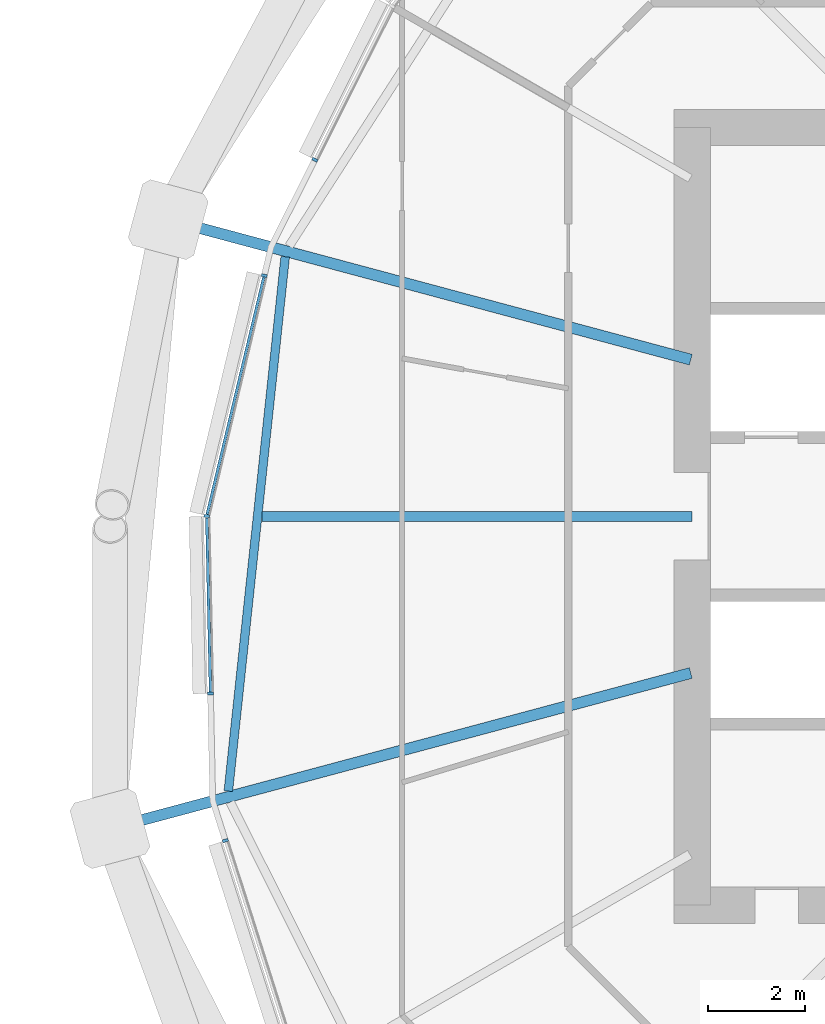
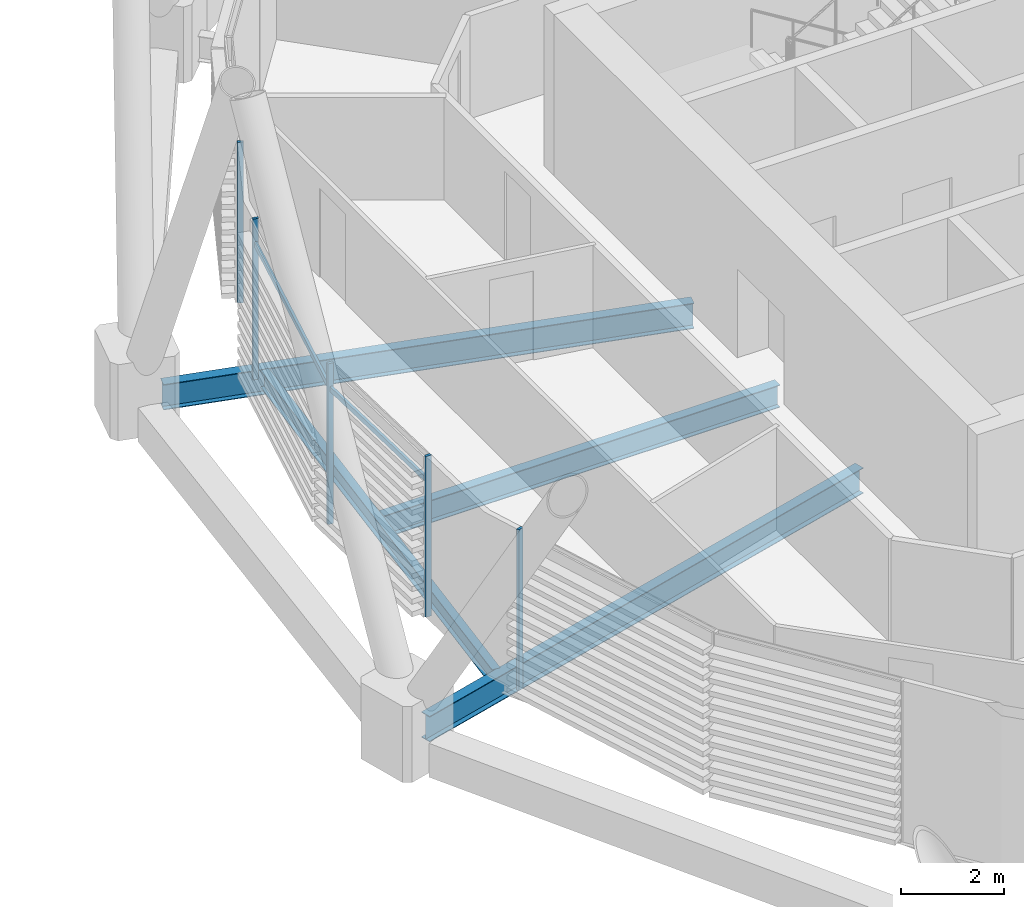
# One storey, part 16 of 38: 7 members, 4 beams, 1 element without a shape of its own.
"""IFC4 building model written with IfcOpenShell, lengths in metres."""

from ifc_helpers import new_model, si_unit, direction, frame, origin, origin_2d, place, context, subcontext, project, spatial, rectangle, i_section, extrude, material, material_profile, profile_set, type_object, element, aggregate, save


model = new_model("IFC4")

# Units and contexts
model_context = context("Model", 3, precision=1e-05, world=origin(), true_north=direction((0.0, 1.0)))
body_context = subcontext(model_context, "Body", "Model", "MODEL_VIEW")
ifc_project = project(units=[si_unit("LENGTHUNIT", "METRE"), si_unit("AREAUNIT", "SQUARE_METRE"), si_unit("VOLUMEUNIT", "CUBIC_METRE"), si_unit("PLANEANGLEUNIT", "RADIAN"), si_unit("MASSUNIT", "GRAM", prefix="KILO")], contexts=[model_context])

# Site, building, storey
site_placement = place(None, origin())
site = spatial("IfcSite", under=ifc_project, at=site_placement, CompositionType="ELEMENT")
building_placement = place(site_placement, origin())
building = spatial("IfcBuilding", under=site, at=building_placement, Name="Rimbun Link Towers", CompositionType="ELEMENT")
storey_placement = place(building_placement, frame((0.0, 0.0, 104.39990234375)))
storey = spatial("IfcBuildingStorey", under=building, at=storey_placement, Name="L25", CompositionType="ELEMENT", Elevation=104.39990234375)

# Curtain wall, members
ifc_material_1 = material(Name="Aluminium 6063-T6 and low-iron glass", Category="aluminium")
curtain_wall_type = type_object("IfcCurtainWallType", Name="CW1-Z2 unitised vision wall (zone 2)", PredefinedType="NOTDEFINED", material=ifc_material_1)
curtain_wall_placement = place(storey_placement, origin())
curtain_wall = element("IfcCurtainWall", 1, at=curtain_wall_placement, inside=storey, type_object=curtain_wall_type, Name="CW1 L25 T2", PredefinedType="NOTDEFINED")
ifc_material_2 = material(Name="Aluminium 6063-T6", Category="aluminium")
ifc_material_profile_1 = material_profile(ifc_material_2, rectangle(XDim=0.1201171875, YDim=0.06005859375, at=origin_2d()), Name="MULLION 60X120")
ifc_profile_set_1 = profile_set([ifc_material_profile_1], Name="Aluminium 6063-T6")
member_type_1 = type_object("IfcMemberType", Name="CW1 mullion 60X120", PredefinedType="MULLION", material=ifc_profile_set_1)
member_1_placement = place(storey_placement, frame((11.98486328125, 7.33642578125, 0.0), z_axis=(0.0, 0.0, 1.0), x_axis=(-0.893637595797, 0.448789312905, 0.0)))
member_1 = element("IfcMember", 2, at=member_1_placement, type_object=member_type_1, Name="CW1 mullion", PredefinedType="MULLION", context=body_context, shape_type="SweptSolid", body=[
    extrude(rectangle(XDim=0.1201171875, YDim=0.06005859375, at=origin_2d()), origin(), (0.0, 0.0, 1.0), 3.800048828125),
])
member_2_placement = place(storey_placement, frame((9.7607421875, 0.00634765625, 0.0), z_axis=(0.0, 0.0, 1.0), x_axis=(-0.994298543645, 0.106632106355, 0.0)))
member_2 = element("IfcMember", 3, at=member_2_placement, type_object=member_type_1, Name="CW1 mullion", PredefinedType="MULLION", context=body_context, shape_type="SweptSolid", body=[
    extrude(rectangle(XDim=0.1201171875, YDim=0.06005859375, at=origin_2d()), origin(), (0.0, 0.0, 1.0), 3.800048828125),
])
member_3_placement = place(storey_placement, frame((10.943115234375, 4.95263671875, 0.0), z_axis=(0.0, 0.0, 1.0), x_axis=(-0.972575947038, 0.232585526726, 0.0)))
member_3 = element("IfcMember", 4, at=member_3_placement, type_object=member_type_1, Name="CW1 mullion", PredefinedType="MULLION", context=body_context, shape_type="SweptSolid", body=[
    extrude(rectangle(XDim=0.1201171875, YDim=0.06005859375, at=origin_2d()), origin(), (0.0, 0.0, 1.0), 3.800048828125),
])
member_4_placement = place(storey_placement, frame((9.837158203125, -3.644775390625, 0.0), z_axis=(0.0, 0.0, 1.0), x_axis=(-0.999778144708, -0.021063270517, 0.0)))
member_4 = element("IfcMember", 5, at=member_4_placement, type_object=member_type_1, Name="CW1 mullion", PredefinedType="MULLION", context=body_context, shape_type="SweptSolid", body=[
    extrude(rectangle(XDim=0.1201171875, YDim=0.06005859375, at=origin_2d()), origin(), (0.0, 0.0, 1.0), 3.800048828125),
])
member_5_placement = place(storey_placement, frame((10.143798828125, -6.671142578125, 0.0), z_axis=(0.0, 0.0, 1.0), x_axis=(-0.952972314709, -0.303057366512, 0.0)))
member_5 = element("IfcMember", 6, at=member_5_placement, type_object=member_type_1, Name="CW1 mullion", PredefinedType="MULLION", context=body_context, shape_type="SweptSolid", body=[
    extrude(rectangle(XDim=0.1201171875, YDim=0.06005859375, at=origin_2d()), origin(), (0.0, 0.0, 1.0), 3.800048828125),
])
ifc_material_3 = material(Name="Aluminium 6063-T6", Category="aluminium")
ifc_material_profile_2 = material_profile(ifc_material_3, rectangle(XDim=0.06005859375, YDim=0.1201171875, at=origin_2d()), Name="TRANSOM 60X120")
ifc_profile_set_2 = profile_set([ifc_material_profile_2], Name="Aluminium 6063-T6")
member_type_2 = type_object("IfcMemberType", Name="CW1 transom 60X120", PredefinedType="USERDEFINED", material=ifc_profile_set_2)
member_6_placement = place(storey_placement, frame((9.77099609375, 0.042724609375, 3.2001953125), z_axis=(0.232574213741, 0.972578652399, 0.0), x_axis=(-0.972578652399, 0.232574213741, 0.0)))
member_6 = element("IfcMember", 7, at=member_6_placement, type_object=member_type_2, Name="CW1 transom", ObjectType="TRANSOM", PredefinedType="USERDEFINED", context=body_context, shape_type="SweptSolid", body=[
    extrude(rectangle(XDim=0.06005859375, YDim=0.1201171875, at=origin_2d()), origin(), (0.0, 0.0, 1.0), 5.017822265625),
])
member_7_placement = place(storey_placement, frame((9.838623046875, -3.61474609375, 3.2001953125), z_axis=(-0.021115334814, 0.999777046464, 0.0), x_axis=(-0.999777046464, -0.021115334814, 0.0)))
member_7 = element("IfcMember", 8, at=member_7_placement, type_object=member_type_2, Name="CW1 transom", ObjectType="TRANSOM", PredefinedType="USERDEFINED", context=body_context, shape_type="SweptSolid", body=[
    extrude(rectangle(XDim=0.06005859375, YDim=0.1201171875, at=origin_2d()), origin(), (0.0, 0.0, 1.0), 3.584228515625),
])
aggregate(curtain_wall, [member_1, member_2, member_3, member_4, member_5, member_6, member_7])

# Beams
ifc_material_4 = material(Name="Steel S355J2", Category="steel")
ifc_material_profile_3 = material_profile(ifc_material_4, i_section(OverallWidth=0.177978515625, OverallDepth=0.406494140625, WebThickness=0.0078125, FlangeThickness=0.0126953125, at=origin_2d()), Name="UB 406x178x60")
ifc_profile_set_3 = profile_set([ifc_material_profile_3], Name="Steel S355J2")
beam_type_1 = type_object("IfcBeamType", Name="UB 406x178x60", PredefinedType="BEAM", material=ifc_profile_set_3)
beam_1_placement = place(storey_placement, frame((11.375244140625, 5.340576171875, -0.363037109375), z_axis=(-0.105832973571, -0.994383920679, 0.0), x_axis=(0.994383920679, -0.105832973571, 0.0)))
element("IfcBeam", 9, at=beam_1_placement, inside=storey, type_object=beam_type_1, Name="Edge beam T2 L25 08-10", PredefinedType="BEAM", context=body_context, shape_type="SweptSolid", body=[
    extrude(i_section(OverallWidth=0.177978515625, OverallDepth=0.406494140625, WebThickness=0.0078125, FlangeThickness=0.0126953125, at=origin_2d()), origin(), (0.0, 0.0, 1.0), 11.056640625),
])
ifc_material_5 = material(Name="Steel S355J2", Category="steel")
ifc_material_profile_4 = material_profile(ifc_material_5, i_section(OverallWidth=0.209228515625, OverallDepth=0.533203125, WebThickness=0.010009765625, FlangeThickness=0.015625, at=origin_2d()), Name="UB 533x210x92")
ifc_profile_set_4 = profile_set([ifc_material_profile_4], Name="Steel S355J2")
beam_type_2 = type_object("IfcBeamType", Name="UB 533x210x92", PredefinedType="BEAM", material=ifc_profile_set_4)
beam_2_placement = place(storey_placement, frame((19.7490234375, 0.0, -0.426513671875), z_axis=(-1.0, 0.0, 0.0), x_axis=(0.0, -1.0, 0.0)))
element("IfcBeam", 10, at=beam_2_placement, inside=storey, type_object=beam_type_2, Name="Radial beam T2 L25 09", PredefinedType="BEAM", context=body_context, shape_type="SweptSolid", body=[
    extrude(i_section(OverallWidth=0.209228515625, OverallDepth=0.533203125, WebThickness=0.010009765625, FlangeThickness=0.015625, at=origin_2d()), origin(), (0.0, 0.0, 1.0), 8.8515625),
])
ifc_material_6 = material(Name="Steel S355J2", Category="steel")
ifc_material_profile_5 = material_profile(ifc_material_6, i_section(OverallWidth=0.2275390625, OverallDepth=0.6025390625, WebThickness=0.010498046875, FlangeThickness=0.014892578125, at=origin_2d()), Name="UB 610x229x101")
ifc_profile_set_5 = profile_set([ifc_material_profile_5], Name="Steel S355J2")
beam_type_3 = type_object("IfcBeamType", Name="UB 610x229x101", PredefinedType="BEAM", material=ifc_profile_set_5)
beam_3_placement = place(storey_placement, frame((19.719482421875, 3.223388671875, -0.461181640625), z_axis=(-0.965921296241, 0.258835950879, 0.0), x_axis=(-0.258835950879, -0.965921296241, 0.0)))
element("IfcBeam", 11, at=beam_3_placement, inside=storey, type_object=beam_type_3, Name="Radial beam T2 L25 08", PredefinedType="BEAM", context=body_context, shape_type="SweptSolid", body=[
    extrude(i_section(OverallWidth=0.2275390625, OverallDepth=0.6025390625, WebThickness=0.010498046875, FlangeThickness=0.014892578125, at=origin_2d()), origin(), (0.0, 0.0, 1.0), 10.631103515625),
])
beam_4_placement = place(storey_placement, frame((19.719482421875, -3.223388671875, -0.461181640625), z_axis=(-0.965923264547, -0.258828605466, 0.0), x_axis=(0.258828605466, -0.965923264547, 0.0)))
element("IfcBeam", 12, at=beam_4_placement, inside=storey, type_object=beam_type_3, Name="Radial beam T2 L25 10", PredefinedType="BEAM", context=body_context, shape_type="SweptSolid", body=[
    extrude(i_section(OverallWidth=0.2275390625, OverallDepth=0.6025390625, WebThickness=0.010498046875, FlangeThickness=0.014892578125, at=origin_2d()), origin(), (0.0, 0.0, 1.0), 11.870849609375),
])

save(model, "model.ifc")
